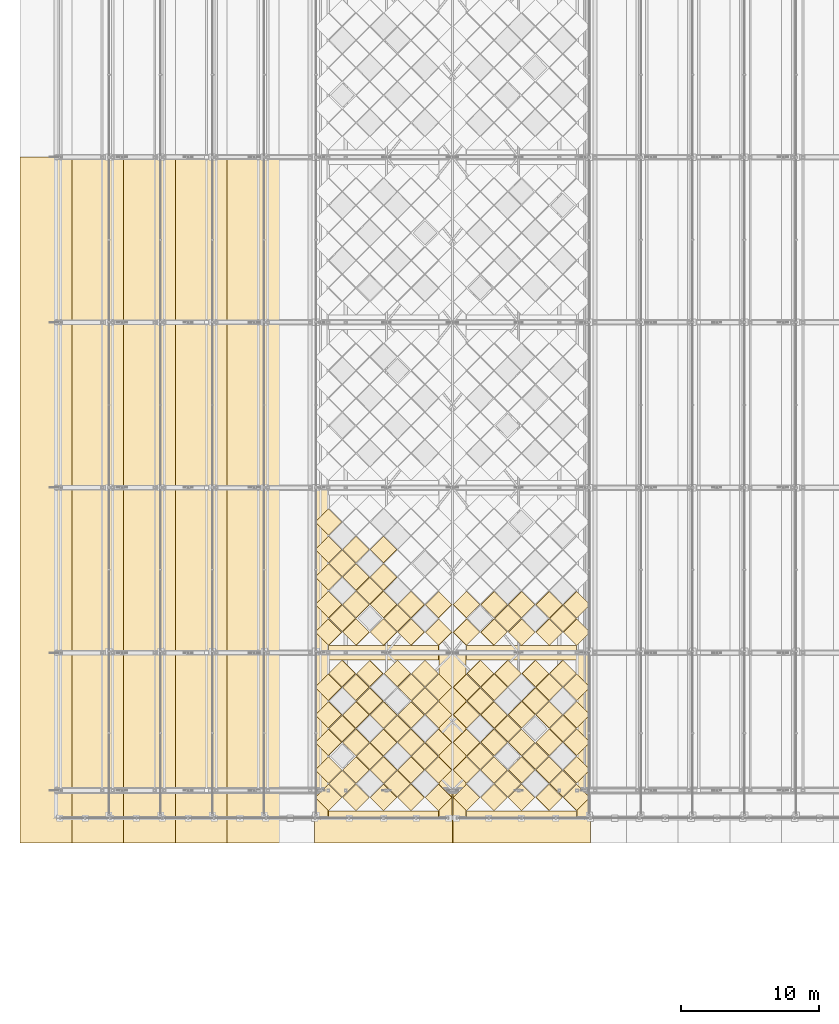
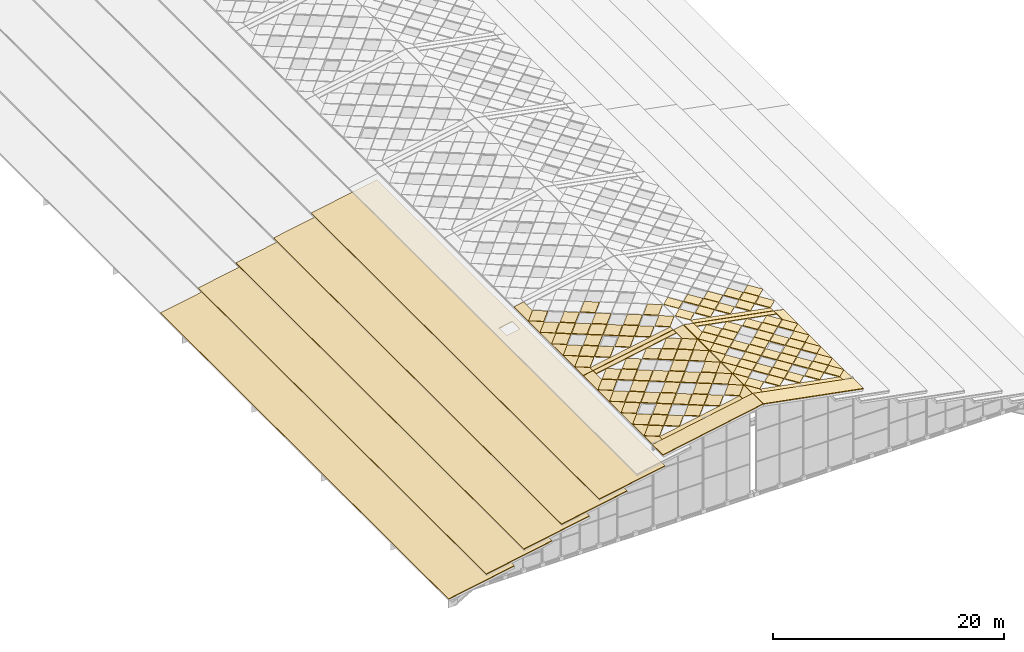
# One storey, part 112 of 117: 123 coverings.
"""IFC4 building model written with IfcOpenShell, lengths in metres."""

from ifc_helpers import new_model, si_unit, direction, frame, origin, place, context, subcontext, project, spatial, polyline, outline, extrude, material, layer, layer_set, type_object, element, save


model = new_model("IFC4")

# Units and contexts
model_context = context("Model", 3, precision=1e-05, world=origin(), true_north=direction((0.0, 1.0)))
body_context = subcontext(model_context, "Body", "Model", "MODEL_VIEW")
ifc_project = project(units=[si_unit("LENGTHUNIT", "METRE"), si_unit("AREAUNIT", "SQUARE_METRE"), si_unit("VOLUMEUNIT", "CUBIC_METRE"), si_unit("PLANEANGLEUNIT", "RADIAN"), si_unit("MASSUNIT", "GRAM", prefix="KILO")], contexts=[model_context])

# Site, building, storey
site_placement = place(None, origin())
site = spatial("IfcSite", under=ifc_project, at=site_placement, CompositionType="ELEMENT")
building_placement = place(site_placement, origin())
building = spatial("IfcBuilding", under=site, at=building_placement, Name="Merenkruunu Market Hall", CompositionType="ELEMENT")
storey_placement = place(building_placement, frame((0.0, 0.0, 22.800048828125)))
storey = spatial("IfcBuildingStorey", under=building, at=storey_placement, Name="RF", CompositionType="ELEMENT", Elevation=22.800048828125)

# Coverings
ifc_material_1 = material(Name="High-albedo white steel roof cladding", Category="steel")
ifc_layer_1 = layer(ifc_material_1, 0.080078125)
ifc_layer_set_1 = layer_set([ifc_layer_1], Name="High-albedo white steel roof cladding")
covering_type_1 = type_object("IfcCoveringType", Name="Insulated White Diamond Roof Panel RFG01", PredefinedType="ROOFING", material=ifc_layer_set_1)
for number, where, z_axis, x_axis, name in (
    (1, (26.8251953125, 17.10009765625, 1.5107421875), (-0.184711070472, 0.0, 0.982792867518), (0.700856370735, -0.70103461498, 0.131722496941), "COV-CROWN-PNL-001"),
    (2, (26.8251953125, 19.10009765625, 1.5107421875), (-0.184711070472, 0.0, 0.982792867518), (0.700856370735, -0.70103461498, 0.131722496941), "COV-CROWN-PNL-002"),
    (3, (26.8251953125, 21.10009765625, 1.5107421875), (-0.184711070472, 0.0, 0.982792867518), (0.700856370735, -0.70103461498, 0.131722496941), "COV-CROWN-PNL-003"),
    (4, (26.8251953125, 23.10009765625, 1.5107421875), (-0.184711070472, 0.0, 0.982792867518), (0.700856370735, -0.70103461498, 0.131722496941), "COV-CROWN-PNL-004"),
    (5, (26.8251953125, 25.10009765625, 1.5107421875), (-0.184711070472, 0.0, 0.982792867518), (0.700856370735, -0.70103461498, 0.131722496941), "COV-CROWN-PNL-005"),
    (6, (25.8251953125, 20.10009765625, 1.32275390625), (-0.184711070472, 0.0, 0.982792867518), (0.700856370735, -0.70103461498, 0.131722496941), "COV-CROWN-PNL-006"),
    (7, (25.8251953125, 24.10009765625, 1.32275390625), (-0.184711070472, 0.0, 0.982792867518), (0.700856370735, -0.70103461498, 0.131722496941), "COV-CROWN-PNL-007"),
    (8, (25.8251953125, 26.10009765625, 1.32275390625), (-0.184711070472, 0.0, 0.982792867518), (0.700856370735, -0.70103461498, 0.131722496941), "COV-CROWN-PNL-008"),
    (9, (24.8251953125, 17.10009765625, 1.134765625), (-0.184711070472, 0.0, 0.982792867518), (0.700856370735, -0.70103461498, 0.131722496941), "COV-CROWN-PNL-009"),
    (10, (24.8251953125, 19.10009765625, 1.134765625), (-0.184711070472, 0.0, 0.982792867518), (0.700856370735, -0.70103461498, 0.131722496941), "COV-CROWN-PNL-010"),
    (11, (24.8251953125, 21.10009765625, 1.134765625), (-0.184711070472, 0.0, 0.982792867518), (0.700856370735, -0.70103461498, 0.131722496941), "COV-CROWN-PNL-011"),
    (12, (24.8251953125, 23.10009765625, 1.134765625), (-0.184711070472, 0.0, 0.982792867518), (0.700856370735, -0.70103461498, 0.131722496941), "COV-CROWN-PNL-012"),
    (13, (24.8251953125, 25.10009765625, 1.134765625), (-0.184711070472, 0.0, 0.982792867518), (0.700856370735, -0.70103461498, 0.131722496941), "COV-CROWN-PNL-013"),
):
    element("IfcCovering", number, at=place(storey_placement, frame(where, z_axis=z_axis, x_axis=x_axis)), inside=storey, type_object=covering_type_1, Name=name, PredefinedType="ROOFING", context=body_context, shape_type="SweptSolid", body=[
        extrude(outline(polyline([(0.0, 0.0), (1.369697098555844, -1.1796119636642288e-16), (1.393120202621735, 1.3694968053954037), (0.0235942550949389, 1.369322702063927), (0.0, 0.0)])), origin(), (0.0, 0.0, -1.0), 0.080078125),
    ])
for number, where, z_axis, x_axis, name in (
    (14, (23.8251953125, 18.10009765625, 0.946533203125), (-0.184831776078, 0.0, 0.982770173821), (0.700856096019, -0.701018147677, 0.131811567397), "COV-CROWN-PNL-014"),
    (15, (23.8251953125, 22.10009765625, 0.946533203125), (-0.184831776078, 0.0, 0.982770173821), (0.700856096019, -0.701018147677, 0.131811567397), "COV-CROWN-PNL-015"),
    (16, (23.8251953125, 26.10009765625, 0.946533203125), (-0.184831776078, 0.0, 0.982770173821), (0.700856096019, -0.701018147677, 0.131811567397), "COV-CROWN-PNL-016"),
    (17, (22.8251953125, 17.10009765625, 0.758544921875), (-0.184831776078, 0.0, 0.982770173821), (0.700856096019, -0.701018147677, 0.131811567397), "COV-CROWN-PNL-017"),
    (18, (22.8251953125, 19.10009765625, 0.758544921875), (-0.184831776078, 0.0, 0.982770173821), (0.700856096019, -0.701018147677, 0.131811567397), "COV-CROWN-PNL-018"),
    (19, (22.8251953125, 21.10009765625, 0.758544921875), (-0.184831776078, 0.0, 0.982770173821), (0.700856096019, -0.701018147677, 0.131811567397), "COV-CROWN-PNL-019"),
    (20, (22.8251953125, 23.10009765625, 0.758544921875), (-0.184831776078, 0.0, 0.982770173821), (0.700856096019, -0.701018147677, 0.131811567397), "COV-CROWN-PNL-020"),
    (21, (21.8251953125, 20.10009765625, 0.570556640625), (-0.184831776078, 0.0, 0.982770173821), (0.700856096019, -0.701018147677, 0.131811567397), "COV-CROWN-PNL-021"),
    (22, (21.8251953125, 24.10009765625, 0.570556640625), (-0.184831776078, 0.0, 0.982770173821), (0.700856096019, -0.701018147677, 0.131811567397), "COV-CROWN-PNL-022"),
    (23, (21.8251953125, 26.10009765625, 0.570556640625), (-0.184831776078, 0.0, 0.982770173821), (0.700856096019, -0.701018147677, 0.131811567397), "COV-CROWN-PNL-023"),
    (24, (20.8251953125, 17.10009765625, 0.382568359375), (-0.184831776078, 0.0, 0.982770173821), (0.700856096019, -0.701018147677, 0.131811567397), "COV-CROWN-PNL-024"),
    (25, (20.8251953125, 19.10009765625, 0.382568359375), (-0.184831776078, 0.0, 0.982770173821), (0.700856096019, -0.701018147677, 0.131811567397), "COV-CROWN-PNL-025"),
    (26, (20.8251953125, 21.10009765625, 0.382568359375), (-0.184831776078, 0.0, 0.982770173821), (0.700856096019, -0.701018147677, 0.131811567397), "COV-CROWN-PNL-026"),
    (27, (20.8251953125, 23.10009765625, 0.382568359375), (-0.184831776078, 0.0, 0.982770173821), (0.700856096019, -0.701018147677, 0.131811567397), "COV-CROWN-PNL-027"),
    (28, (20.8251953125, 25.10009765625, 0.382568359375), (-0.184831776078, 0.0, 0.982770173821), (0.700856096019, -0.701018147677, 0.131811567397), "COV-CROWN-PNL-028"),
    (29, (19.8251953125, 18.10009765625, 0.194580078125), (-0.184831776078, 0.0, 0.982770173821), (0.700856096019, -0.701018147677, 0.131811567397), "COV-CROWN-PNL-029"),
    (30, (19.8251953125, 22.10009765625, 0.194580078125), (-0.184831776078, 0.0, 0.982770173821), (0.700856096019, -0.701018147677, 0.131811567397), "COV-CROWN-PNL-030"),
    (31, (19.8251953125, 26.10009765625, 0.194580078125), (-0.184831776078, 0.0, 0.982770173821), (0.700856096019, -0.701018147677, 0.131811567397), "COV-CROWN-PNL-031"),
    (32, (18.8251953125, 17.10009765625, 0.006591796875), (-0.184831776078, 0.0, 0.982770173821), (0.700856096019, -0.701018147677, 0.131811567397), "COV-CROWN-PNL-032"),
    (33, (18.8251953125, 19.10009765625, 0.006591796875), (-0.184831776078, 0.0, 0.982770173821), (0.700856096019, -0.701018147677, 0.131811567397), "COV-CROWN-PNL-033"),
    (34, (18.8251953125, 21.10009765625, 0.006591796875), (-0.184831776078, 0.0, 0.982770173821), (0.700856096019, -0.701018147677, 0.131811567397), "COV-CROWN-PNL-034"),
    (35, (18.8251953125, 23.10009765625, 0.006591796875), (-0.184831776078, 0.0, 0.982770173821), (0.700856096019, -0.701018147677, 0.131811567397), "COV-CROWN-PNL-035"),
    (36, (18.8251953125, 25.10009765625, 0.006591796875), (-0.184831776078, 0.0, 0.982770173821), (0.700856096019, -0.701018147677, 0.131811567397), "COV-CROWN-PNL-036"),
):
    element("IfcCovering", number, at=place(storey_placement, frame(where, z_axis=z_axis, x_axis=x_axis)), inside=storey, type_object=covering_type_1, Name=name, PredefinedType="ROOFING", context=body_context, shape_type="SweptSolid", body=[
        extrude(outline(polyline([(0.0, 0.0), (1.3697292734952495, 5.551115123125783e-17), (1.3931839959170225, 1.3694962589931816), (0.023658049988929668, 1.3693537851152227), (0.0, 0.0)])), origin(), (0.0, 0.0, -1.0), 0.080078125),
    ])
for number, where, z_axis, x_axis, name in (
    (37, (28.85498046875, 17.10009765625, 1.87158203125), (0.184711070472, 0.0, 0.982792867518), (0.700856370735, -0.70103461498, -0.131722496941), "COV-CROWN-PNL-037"),
    (38, (28.85498046875, 19.10009765625, 1.87158203125), (0.184711070472, 0.0, 0.982792867518), (0.700856370735, -0.70103461498, -0.131722496941), "COV-CROWN-PNL-038"),
    (39, (28.85498046875, 21.10009765625, 1.87158203125), (0.184711070472, 0.0, 0.982792867518), (0.700856370735, -0.70103461498, -0.131722496941), "COV-CROWN-PNL-039"),
    (40, (28.85498046875, 23.10009765625, 1.87158203125), (0.184711070472, 0.0, 0.982792867518), (0.700856370735, -0.70103461498, -0.131722496941), "COV-CROWN-PNL-040"),
    (41, (28.85498046875, 25.10009765625, 1.87158203125), (0.184711070472, 0.0, 0.982792867518), (0.700856370735, -0.70103461498, -0.131722496941), "COV-CROWN-PNL-041"),
    (42, (29.85498046875, 20.10009765625, 1.68359375), (0.184711070472, 0.0, 0.982792867518), (0.700856370735, -0.70103461498, -0.131722496941), "COV-CROWN-PNL-042"),
    (43, (29.85498046875, 24.10009765625, 1.68359375), (0.184711070472, 0.0, 0.982792867518), (0.700856370735, -0.70103461498, -0.131722496941), "COV-CROWN-PNL-043"),
    (44, (29.85498046875, 26.10009765625, 1.68359375), (0.184711070472, 0.0, 0.982792867518), (0.700856370735, -0.70103461498, -0.131722496941), "COV-CROWN-PNL-044"),
    (45, (30.85498046875, 17.10009765625, 1.49560546875), (0.184711070472, 0.0, 0.982792867518), (0.700856370735, -0.70103461498, -0.131722496941), "COV-CROWN-PNL-045"),
    (46, (30.85498046875, 19.10009765625, 1.49560546875), (0.184711070472, 0.0, 0.982792867518), (0.700856370735, -0.70103461498, -0.131722496941), "COV-CROWN-PNL-046"),
    (47, (30.85498046875, 21.10009765625, 1.49560546875), (0.184711070472, 0.0, 0.982792867518), (0.700856370735, -0.70103461498, -0.131722496941), "COV-CROWN-PNL-047"),
    (48, (30.85498046875, 23.10009765625, 1.49560546875), (0.184711070472, 0.0, 0.982792867518), (0.700856370735, -0.70103461498, -0.131722496941), "COV-CROWN-PNL-048"),
    (49, (30.85498046875, 25.10009765625, 1.49560546875), (0.184711070472, 0.0, 0.982792867518), (0.700856370735, -0.70103461498, -0.131722496941), "COV-CROWN-PNL-049"),
):
    element("IfcCovering", number, at=place(storey_placement, frame(where, z_axis=z_axis, x_axis=x_axis)), inside=storey, type_object=covering_type_1, Name=name, PredefinedType="ROOFING", context=body_context, shape_type="SweptSolid", body=[
        extrude(outline(polyline([(0.0, 0.0), (1.369697098555844, -1.1796119636642288e-16), (1.393120202621735, 1.3694968053954037), (0.0235942550949389, 1.369322702063927), (0.0, 0.0)])), origin(), (0.0, 0.0, -1.0), 0.080078125),
    ])
for number, where, z_axis, x_axis, name in (
    (50, (31.85498046875, 18.10009765625, 1.3076171875), (0.184831776078, 0.0, 0.982770173821), (0.700840184643, -0.701034617669, -0.131808574909), "COV-CROWN-PNL-050"),
    (51, (31.85498046875, 22.10009765625, 1.3076171875), (0.184831776078, 0.0, 0.982770173821), (0.700840184643, -0.701034617669, -0.131808574909), "COV-CROWN-PNL-051"),
    (52, (31.85498046875, 26.10009765625, 1.3076171875), (0.184831776078, 0.0, 0.982770173821), (0.700840184643, -0.701034617669, -0.131808574909), "COV-CROWN-PNL-052"),
    (53, (32.85498046875, 17.10009765625, 1.11962890625), (0.184831776078, 0.0, 0.982770173821), (0.700840184643, -0.701034617669, -0.131808574909), "COV-CROWN-PNL-053"),
    (54, (32.85498046875, 19.10009765625, 1.11962890625), (0.184831776078, 0.0, 0.982770173821), (0.700840184643, -0.701034617669, -0.131808574909), "COV-CROWN-PNL-054"),
    (55, (32.85498046875, 21.10009765625, 1.11962890625), (0.184831776078, 0.0, 0.982770173821), (0.700840184643, -0.701034617669, -0.131808574909), "COV-CROWN-PNL-055"),
    (56, (32.85498046875, 23.10009765625, 1.11962890625), (0.184831776078, 0.0, 0.982770173821), (0.700840184643, -0.701034617669, -0.131808574909), "COV-CROWN-PNL-056"),
    (57, (33.85498046875, 20.10009765625, 0.931640625), (0.184831776078, 0.0, 0.982770173821), (0.700840184643, -0.701034617669, -0.131808574909), "COV-CROWN-PNL-057"),
    (58, (33.85498046875, 24.10009765625, 0.931640625), (0.184831776078, 0.0, 0.982770173821), (0.700840184643, -0.701034617669, -0.131808574909), "COV-CROWN-PNL-058"),
    (59, (33.85498046875, 26.10009765625, 0.931640625), (0.184831776078, 0.0, 0.982770173821), (0.700840184643, -0.701034617669, -0.131808574909), "COV-CROWN-PNL-059"),
    (60, (34.85498046875, 17.10009765625, 0.74365234375), (0.184831776078, 0.0, 0.982770173821), (0.700840184643, -0.701034617669, -0.131808574909), "COV-CROWN-PNL-060"),
    (61, (34.85498046875, 19.10009765625, 0.74365234375), (0.184831776078, 0.0, 0.982770173821), (0.700840184643, -0.701034617669, -0.131808574909), "COV-CROWN-PNL-061"),
    (62, (34.85498046875, 21.10009765625, 0.74365234375), (0.184831776078, 0.0, 0.982770173821), (0.700840184643, -0.701034617669, -0.131808574909), "COV-CROWN-PNL-062"),
    (63, (34.85498046875, 23.10009765625, 0.74365234375), (0.184831776078, 0.0, 0.982770173821), (0.700840184643, -0.701034617669, -0.131808574909), "COV-CROWN-PNL-063"),
    (64, (34.85498046875, 25.10009765625, 0.74365234375), (0.184831776078, 0.0, 0.982770173821), (0.700840184643, -0.701034617669, -0.131808574909), "COV-CROWN-PNL-064"),
    (65, (35.85498046875, 18.10009765625, 0.5556640625), (0.184831776078, 0.0, 0.982770173821), (0.700840184643, -0.701034617669, -0.131808574909), "COV-CROWN-PNL-065"),
    (66, (35.85498046875, 22.10009765625, 0.5556640625), (0.184831776078, 0.0, 0.982770173821), (0.700840184643, -0.701034617669, -0.131808574909), "COV-CROWN-PNL-066"),
    (67, (35.85498046875, 26.10009765625, 0.5556640625), (0.184831776078, 0.0, 0.982770173821), (0.700840184643, -0.701034617669, -0.131808574909), "COV-CROWN-PNL-067"),
    (68, (36.85498046875, 17.10009765625, 0.36767578125), (0.184831776078, 0.0, 0.982770173821), (0.700840184643, -0.701034617669, -0.131808574909), "COV-CROWN-PNL-068"),
    (69, (36.85498046875, 19.10009765625, 0.36767578125), (0.184831776078, 0.0, 0.982770173821), (0.700840184643, -0.701034617669, -0.131808574909), "COV-CROWN-PNL-069"),
    (70, (36.85498046875, 21.10009765625, 0.36767578125), (0.184831776078, 0.0, 0.982770173821), (0.700840184643, -0.701034617669, -0.131808574909), "COV-CROWN-PNL-070"),
    (71, (36.85498046875, 23.10009765625, 0.36767578125), (0.184831776078, 0.0, 0.982770173821), (0.700840184643, -0.701034617669, -0.131808574909), "COV-CROWN-PNL-071"),
    (72, (36.85498046875, 25.10009765625, 0.36767578125), (0.184831776078, 0.0, 0.982770173821), (0.700840184643, -0.701034617669, -0.131808574909), "COV-CROWN-PNL-072"),
):
    element("IfcCovering", number, at=place(storey_placement, frame(where, z_axis=z_axis, x_axis=x_axis)), inside=storey, type_object=covering_type_1, Name=name, PredefinedType="ROOFING", context=body_context, shape_type="SweptSolid", body=[
        extrude(outline(polyline([(0.0, 0.0), (1.3696970933020924, 3.8163916471489756e-17), (1.3931523667781838, 1.3695284344678598), (0.023594244677936634, 1.3693226969882304), (0.0, 0.0)])), origin(), (0.0, 0.0, -1.0), 0.080078125),
    ])
for number, where, z_axis, x_axis, name in (
    (73, (26.8251953125, 29.10009765625, 1.5107421875), (-0.184711070472, 0.0, 0.982792867518), (0.700856370735, -0.70103461498, 0.131722496941), "COV-CROWN-PNL-073"),
    (74, (26.8251953125, 31.10009765625, 1.5107421875), (-0.184711070472, 0.0, 0.982792867518), (0.700856370735, -0.70103461498, 0.131722496941), "COV-CROWN-PNL-074"),
    (75, (24.8251953125, 29.10009765625, 1.134765625), (-0.184711070472, 0.0, 0.982792867518), (0.700856370735, -0.70103461498, 0.131722496941), "COV-CROWN-PNL-081"),
    (76, (24.8251953125, 31.10009765625, 1.134765625), (-0.184711070472, 0.0, 0.982792867518), (0.700856370735, -0.70103461498, 0.131722496941), "COV-CROWN-PNL-082"),
):
    element("IfcCovering", number, at=place(storey_placement, frame(where, z_axis=z_axis, x_axis=x_axis)), inside=storey, type_object=covering_type_1, Name=name, PredefinedType="ROOFING", context=body_context, shape_type="SweptSolid", body=[
        extrude(outline(polyline([(0.0, 0.0), (1.369697098555844, -1.1796119636642288e-16), (1.393120202621735, 1.3694968053954037), (0.0235942550949389, 1.369322702063927), (0.0, 0.0)])), origin(), (0.0, 0.0, -1.0), 0.080078125),
    ])
for number, where, z_axis, x_axis, name in (
    (77, (23.8251953125, 30.10009765625, 0.946533203125), (-0.184831776078, 0.0, 0.982770173821), (0.700856096019, -0.701018147677, 0.131811567397), "COV-CROWN-PNL-086"),
    (78, (22.8251953125, 29.10009765625, 0.758544921875), (-0.184831776078, 0.0, 0.982770173821), (0.700856096019, -0.701018147677, 0.131811567397), "COV-CROWN-PNL-089"),
    (79, (22.8251953125, 31.10009765625, 0.758544921875), (-0.184831776078, 0.0, 0.982770173821), (0.700856096019, -0.701018147677, 0.131811567397), "COV-CROWN-PNL-090"),
    (80, (22.8251953125, 33.10009765625, 0.758544921875), (-0.184831776078, 0.0, 0.982770173821), (0.700856096019, -0.701018147677, 0.131811567397), "COV-CROWN-PNL-091"),
    (81, (22.8251953125, 35.10009765625, 0.758544921875), (-0.184831776078, 0.0, 0.982770173821), (0.700856096019, -0.701018147677, 0.131811567397), "COV-CROWN-PNL-092"),
    (82, (21.8251953125, 32.10009765625, 0.570556640625), (-0.184831776078, 0.0, 0.982770173821), (0.700856096019, -0.701018147677, 0.131811567397), "COV-CROWN-PNL-093"),
    (83, (20.8251953125, 29.10009765625, 0.382568359375), (-0.184831776078, 0.0, 0.982770173821), (0.700856096019, -0.701018147677, 0.131811567397), "COV-CROWN-PNL-096"),
    (84, (20.8251953125, 31.10009765625, 0.382568359375), (-0.184831776078, 0.0, 0.982770173821), (0.700856096019, -0.701018147677, 0.131811567397), "COV-CROWN-PNL-097"),
    (85, (20.8251953125, 33.10009765625, 0.382568359375), (-0.184831776078, 0.0, 0.982770173821), (0.700856096019, -0.701018147677, 0.131811567397), "COV-CROWN-PNL-098"),
    (86, (20.8251953125, 35.10009765625, 0.382568359375), (-0.184831776078, 0.0, 0.982770173821), (0.700856096019, -0.701018147677, 0.131811567397), "COV-CROWN-PNL-099"),
    (87, (19.8251953125, 30.10009765625, 0.194580078125), (-0.184831776078, 0.0, 0.982770173821), (0.700856096019, -0.701018147677, 0.131811567397), "COV-CROWN-PNL-101"),
    (88, (19.8251953125, 34.10009765625, 0.194580078125), (-0.184831776078, 0.0, 0.982770173821), (0.700856096019, -0.701018147677, 0.131811567397), "COV-CROWN-PNL-102"),
    (89, (18.8251953125, 29.10009765625, 0.006591796875), (-0.184831776078, 0.0, 0.982770173821), (0.700856096019, -0.701018147677, 0.131811567397), "COV-CROWN-PNL-104"),
    (90, (18.8251953125, 31.10009765625, 0.006591796875), (-0.184831776078, 0.0, 0.982770173821), (0.700856096019, -0.701018147677, 0.131811567397), "COV-CROWN-PNL-105"),
    (91, (18.8251953125, 33.10009765625, 0.006591796875), (-0.184831776078, 0.0, 0.982770173821), (0.700856096019, -0.701018147677, 0.131811567397), "COV-CROWN-PNL-106"),
    (92, (18.8251953125, 35.10009765625, 0.006591796875), (-0.184831776078, 0.0, 0.982770173821), (0.700856096019, -0.701018147677, 0.131811567397), "COV-CROWN-PNL-107"),
    (93, (18.8251953125, 37.10009765625, 0.006591796875), (-0.184831776078, 0.0, 0.982770173821), (0.700856096019, -0.701018147677, 0.131811567397), "COV-CROWN-PNL-108"),
):
    element("IfcCovering", number, at=place(storey_placement, frame(where, z_axis=z_axis, x_axis=x_axis)), inside=storey, type_object=covering_type_1, Name=name, PredefinedType="ROOFING", context=body_context, shape_type="SweptSolid", body=[
        extrude(outline(polyline([(0.0, 0.0), (1.3697292734952495, 5.551115123125783e-17), (1.3931839959170225, 1.3694962589931816), (0.023658049988929668, 1.3693537851152227), (0.0, 0.0)])), origin(), (0.0, 0.0, -1.0), 0.080078125),
    ])
for number, where, z_axis, x_axis, name in (
    (94, (28.85498046875, 29.10009765625, 1.87158203125), (0.184711070472, 0.0, 0.982792867518), (0.700856370735, -0.70103461498, -0.131722496941), "COV-CROWN-PNL-109"),
    (95, (28.85498046875, 31.10009765625, 1.87158203125), (0.184711070472, 0.0, 0.982792867518), (0.700856370735, -0.70103461498, -0.131722496941), "COV-CROWN-PNL-110"),
    (96, (30.85498046875, 29.10009765625, 1.49560546875), (0.184711070472, 0.0, 0.982792867518), (0.700856370735, -0.70103461498, -0.131722496941), "COV-CROWN-PNL-117"),
    (97, (30.85498046875, 31.10009765625, 1.49560546875), (0.184711070472, 0.0, 0.982792867518), (0.700856370735, -0.70103461498, -0.131722496941), "COV-CROWN-PNL-118"),
):
    element("IfcCovering", number, at=place(storey_placement, frame(where, z_axis=z_axis, x_axis=x_axis)), inside=storey, type_object=covering_type_1, Name=name, PredefinedType="ROOFING", context=body_context, shape_type="SweptSolid", body=[
        extrude(outline(polyline([(0.0, 0.0), (1.369697098555844, -1.1796119636642288e-16), (1.393120202621735, 1.3694968053954037), (0.0235942550949389, 1.369322702063927), (0.0, 0.0)])), origin(), (0.0, 0.0, -1.0), 0.080078125),
    ])
for number, where, z_axis, x_axis, name in (
    (98, (31.85498046875, 30.10009765625, 1.3076171875), (0.184831776078, 0.0, 0.982770173821), (0.700840184643, -0.701034617669, -0.131808574909), "COV-CROWN-PNL-122"),
    (99, (32.85498046875, 29.10009765625, 1.11962890625), (0.184831776078, 0.0, 0.982770173821), (0.700840184643, -0.701034617669, -0.131808574909), "COV-CROWN-PNL-125"),
    (100, (32.85498046875, 31.10009765625, 1.11962890625), (0.184831776078, 0.0, 0.982770173821), (0.700840184643, -0.701034617669, -0.131808574909), "COV-CROWN-PNL-126"),
    (101, (34.85498046875, 29.10009765625, 0.74365234375), (0.184831776078, 0.0, 0.982770173821), (0.700840184643, -0.701034617669, -0.131808574909), "COV-CROWN-PNL-132"),
    (102, (34.85498046875, 31.10009765625, 0.74365234375), (0.184831776078, 0.0, 0.982770173821), (0.700840184643, -0.701034617669, -0.131808574909), "COV-CROWN-PNL-133"),
    (103, (35.85498046875, 30.10009765625, 0.5556640625), (0.184831776078, 0.0, 0.982770173821), (0.700840184643, -0.701034617669, -0.131808574909), "COV-CROWN-PNL-137"),
    (104, (36.85498046875, 29.10009765625, 0.36767578125), (0.184831776078, 0.0, 0.982770173821), (0.700840184643, -0.701034617669, -0.131808574909), "COV-CROWN-PNL-140"),
    (105, (36.85498046875, 31.10009765625, 0.36767578125), (0.184831776078, 0.0, 0.982770173821), (0.700840184643, -0.701034617669, -0.131808574909), "COV-CROWN-PNL-141"),
):
    element("IfcCovering", number, at=place(storey_placement, frame(where, z_axis=z_axis, x_axis=x_axis)), inside=storey, type_object=covering_type_1, Name=name, PredefinedType="ROOFING", context=body_context, shape_type="SweptSolid", body=[
        extrude(outline(polyline([(0.0, 0.0), (1.3696970933020924, 3.8163916471489756e-17), (1.3931523667781838, 1.3695284344678598), (0.023594244677936634, 1.3693226969882304), (0.0, 0.0)])), origin(), (0.0, 0.0, -1.0), 0.080078125),
    ])
covering_1_placement = place(storey_placement, frame((-2.61474609375, 13.800048828125, -7.720703125), z_axis=(-0.182233397966, 0.0, 0.983255301875), x_axis=(0.983255301875, 0.0, 0.182233397966)))
element("IfcCovering", 106, at=covering_1_placement, inside=storey, type_object=covering_type_1, Name="COV-SLRF-027", PredefinedType="ROOFING", context=body_context, shape_type="SweptSolid", body=[
    extrude(outline(polyline([(0.0, 0.0), (6.671775459779865, 0.0), (6.671775459779865, 49.800048828125), (0.0, 49.800048828125), (0.0, 0.0)]), holes=[polyline([(4.841049288943523, 24.25), (6.163241390085635, 24.25), (6.163241390085635, 25.550048828125), (4.841049288943523, 25.550048828125), (4.841049288943523, 24.25)])]), origin(), (0.0, 0.0, -1.0), 0.080078125),
])
covering_2_placement = place(storey_placement, frame((1.145263671875, 13.800048828125, -6.400634765625), z_axis=(-0.182198019779, 0.0, 0.983261858097), x_axis=(0.983261858097, 0.0, 0.182198019779)))
element("IfcCovering", 107, at=covering_2_placement, inside=storey, type_object=covering_type_1, Name="COV-SLRF-031", PredefinedType="ROOFING", context=body_context, shape_type="SweptSolid", body=[
    extrude(outline(polyline([(0.0, 0.0), (6.671730973522802, 0.0), (6.671730973522802, 49.800048828125), (0.0, 49.800048828125), (0.0, 0.0)]), holes=[polyline([(4.84104929022978, 24.25), (6.163241389812071, 24.25), (6.163241389812071, 25.550048828125), (4.84104929022978, 25.550048828125), (4.84104929022978, 24.25)])]), origin(), (0.0, 0.0, -1.0), 0.080078125),
])
covering_3_placement = place(storey_placement, frame((4.9052734375, 13.800048828125, -5.080810546875), z_axis=(-0.182233397966, 0.0, 0.983255301875), x_axis=(0.983255301875, 0.0, 0.182233397966)))
element("IfcCovering", 108, at=covering_3_placement, inside=storey, type_object=covering_type_1, Name="COV-SLRF-035", PredefinedType="ROOFING", context=body_context, shape_type="SweptSolid", body=[
    extrude(outline(polyline([(0.0, 0.0), (6.671775459779865, 0.0), (6.671775459779865, 49.800048828125), (0.0, 49.800048828125), (0.0, 0.0)]), holes=[polyline([(4.841093779519199, 24.25), (6.16328588066131, 24.25), (6.16328588066131, 25.550048828125), (4.841093779519199, 25.550048828125), (4.841093779519199, 24.25)])]), origin(), (0.0, 0.0, -1.0), 0.080078125),
])
covering_4_placement = place(storey_placement, frame((8.665283203125, 13.800048828125, -3.7607421875), z_axis=(-0.182233397966, 0.0, 0.983255301875), x_axis=(0.983255301875, 0.0, 0.182233397966)))
element("IfcCovering", 109, at=covering_4_placement, inside=storey, type_object=covering_type_1, Name="COV-SLRF-039", PredefinedType="ROOFING", context=body_context, shape_type="SweptSolid", body=[
    extrude(outline(polyline([(0.0, 0.0), (6.671775459779865, 0.0), (6.671775459779865, 49.800048828125), (0.0, 49.800048828125), (0.0, 0.0)]), holes=[polyline([(4.841049288943523, 24.25), (6.16328588066131, 24.25), (6.16328588066131, 25.550048828125), (4.841049288943523, 25.550048828125), (4.841049288943523, 24.25)])]), origin(), (0.0, 0.0, -1.0), 0.080078125),
])
covering_5_placement = place(storey_placement, frame((12.42529296875, 13.800048828125, -2.440673828125), z_axis=(-0.182233397966, 0.0, 0.983255301875), x_axis=(0.983255301875, 0.0, 0.182233397966)))
element("IfcCovering", 110, at=covering_5_placement, inside=storey, type_object=covering_type_1, Name="COV-SLRF-043", PredefinedType="ROOFING", context=body_context, shape_type="SweptSolid", body=[
    extrude(outline(polyline([(0.0, 0.0), (6.671775459779865, 0.0), (6.671775459779865, 49.800048828125), (0.0, 49.800048828125), (0.0, 0.0)]), holes=[polyline([(4.841049288943523, 24.25), (6.163241390085635, 24.25), (6.163241390085635, 25.550048828125), (4.841049288943523, 25.550048828125), (4.841049288943523, 24.25)])]), origin(), (0.0, 0.0, -1.0), 0.080078125),
])
for number, where, z_axis, x_axis, name in (
    (111, (18.78515625, 13.800048828125, -0.000732421875), (-0.184752092456, 0.0, 0.982785156753), (0.982785156753, 0.0, 0.184752092456), "COV-SLRF-051"),
    (112, (28.81494140625, 13.800048828125, 1.879150390625), (0.184752092456, 0.0, 0.982785156753), (0.982785156753, 0.0, -0.184752092456), "COV-SLRF-052"),
):
    element("IfcCovering", number, at=place(storey_placement, frame(where, z_axis=z_axis, x_axis=x_axis)), inside=storey, type_object=covering_type_1, Name=name, PredefinedType="ROOFING", context=body_context, shape_type="SweptSolid", body=[
        extrude(outline(polyline([(0.0, 0.0), (10.175163850706923, 0.0), (10.175163850706923, 1.8000488281250004), (0.0, 1.8000488281250004), (0.0, 0.0)])), origin(), (0.0, 0.0, -1.0), 0.080078125),
    ])
ifc_material_2 = material(Name="High-albedo white roof membrane")
ifc_layer_2 = layer(ifc_material_2, 0.06005859375)
ifc_layer_set_2 = layer_set([ifc_layer_2], Name="High-albedo white roof membrane")
covering_type_2 = type_object("IfcCoveringType", Name="Warm Membrane Roof Covering RFG02", PredefinedType="ROOFING", material=ifc_layer_set_2)
covering_6_placement = place(storey_placement, frame((27.808837890625, 15.6201171875, 1.675048828125), z_axis=(-0.184952473321, 0.0, 0.982747466348), x_axis=(0.982747466348, 0.0, 0.184952473321)))
element("IfcCovering", 113, at=covering_6_placement, inside=storey, type_object=covering_type_2, Name="COV-CROWN-TRIM-001", PredefinedType="ROOFING", context=body_context, shape_type="SweptSolid", body=[
    extrude(outline(polyline([(0.0, 0.0), (0.9768134443202975, 0.0), (0.9768134443202975, 11.9599609375), (0.0, 11.9599609375), (0.0, 0.0)])), origin(), (0.0, 0.0, -1.0), 0.06005859375),
])
covering_7_placement = place(storey_placement, frame((18.808837890625, 15.6201171875, -0.016845703125), z_axis=(-0.184711070472, 0.0, 0.982792867518), x_axis=(0.982792867518, 0.0, 0.184711070472)))
element("IfcCovering", 114, at=covering_7_placement, inside=storey, type_object=covering_type_2, Name="COV-CROWN-TRIM-002", PredefinedType="ROOFING", context=body_context, shape_type="SweptSolid", body=[
    extrude(outline(polyline([(0.0, 0.0), (0.9767683193753063, 0.0), (0.9767683193753063, 11.9599609375), (0.0, 11.9599609375), (0.0, 0.0)])), origin(), (0.0, 0.0, -1.0), 0.06005859375),
])
for number, where, z_axis, x_axis, name in (
    (115, (19.788818359375, 15.6201171875, 0.16748046875), (-0.184752092456, 0.0, 0.982785156753), (0.982785156753, 0.0, 0.184752092456), "COV-CROWN-TRIM-003"),
    (116, (19.788818359375, 27.080078125, 0.16748046875), (-0.184752092456, 0.0, 0.982785156753), (0.982785156753, 0.0, 0.184752092456), "COV-CROWN-TRIM-004"),
):
    element("IfcCovering", number, at=place(storey_placement, frame(where, z_axis=z_axis, x_axis=x_axis)), inside=storey, type_object=covering_type_2, Name=name, PredefinedType="ROOFING", context=body_context, shape_type="SweptSolid", body=[
        extrude(outline(polyline([(0.0, 0.0), (8.140131080565538, 0.0), (8.140131080565538, 0.5000000000000001), (0.0, 0.5000000000000001), (0.0, 0.0)])), origin(), (0.0, 0.0, -1.0), 0.06005859375),
    ])
covering_8_placement = place(storey_placement, frame((28.831298828125, 15.6201171875, 1.855712890625), z_axis=(0.184952473321, 0.0, 0.982747466348), x_axis=(0.982747466348, 0.0, -0.184952473321)))
element("IfcCovering", 117, at=covering_8_placement, inside=storey, type_object=covering_type_2, Name="COV-CROWN-TRIM-005", PredefinedType="ROOFING", context=body_context, shape_type="SweptSolid", body=[
    extrude(outline(polyline([(0.0, 0.0), (0.9768134443202975, 0.0), (0.9768134443202975, 11.9599609375), (0.0, 11.9599609375), (0.0, 0.0)])), origin(), (0.0, 0.0, -1.0), 0.06005859375),
])
covering_9_placement = place(storey_placement, frame((37.831298828125, 15.6201171875, 0.16357421875), z_axis=(0.184711070472, 0.0, 0.982792867518), x_axis=(0.982792867518, 0.0, -0.184711070472)))
element("IfcCovering", 118, at=covering_9_placement, inside=storey, type_object=covering_type_2, Name="COV-CROWN-TRIM-006", PredefinedType="ROOFING", context=body_context, shape_type="SweptSolid", body=[
    extrude(outline(polyline([(0.0, 0.0), (0.9767683193753063, 0.0), (0.9767683193753063, 11.9599609375), (0.0, 11.9599609375), (0.0, 0.0)])), origin(), (0.0, 0.0, -1.0), 0.06005859375),
])
for number, where, z_axis, x_axis, name in (
    (119, (29.811279296875, 15.6201171875, 1.67138671875), (0.184752092456, 0.0, 0.982785156753), (0.982785156753, 0.0, -0.184752092456), "COV-CROWN-TRIM-007"),
    (120, (29.811279296875, 27.080078125, 1.67138671875), (0.184752092456, 0.0, 0.982785156753), (0.982785156753, 0.0, -0.184752092456), "COV-CROWN-TRIM-008"),
):
    element("IfcCovering", number, at=place(storey_placement, frame(where, z_axis=z_axis, x_axis=x_axis)), inside=storey, type_object=covering_type_2, Name=name, PredefinedType="ROOFING", context=body_context, shape_type="SweptSolid", body=[
        extrude(outline(polyline([(0.0, 0.0), (8.140131080565538, 0.0), (8.140131080565538, 0.5000000000000001), (0.0, 0.5000000000000001), (0.0, 0.0)])), origin(), (0.0, 0.0, -1.0), 0.06005859375),
    ])
covering_10_placement = place(storey_placement, frame((18.808837890625, 27.6201171875, -0.016845703125), z_axis=(-0.184711070472, 0.0, 0.982792867518), x_axis=(0.982792867518, 0.0, 0.184711070472)))
element("IfcCovering", 121, at=covering_10_placement, inside=storey, type_object=covering_type_2, Name="COV-CROWN-TRIM-010", PredefinedType="ROOFING", context=body_context, shape_type="SweptSolid", body=[
    extrude(outline(polyline([(0.0, 0.0), (0.9767683193753063, 0.0), (0.9767683193753063, 11.9599609375), (0.0, 11.9599609375), (0.0, 0.0)])), origin(), (0.0, 0.0, -1.0), 0.06005859375),
])
for number, where, z_axis, x_axis, name in (
    (122, (19.788818359375, 27.6201171875, 0.16748046875), (-0.184752092456, 0.0, 0.982785156753), (0.982785156753, 0.0, 0.184752092456), "COV-CROWN-TRIM-011"),
    (123, (29.811279296875, 27.6201171875, 1.67138671875), (0.184752092456, 0.0, 0.982785156753), (0.982785156753, 0.0, -0.184752092456), "COV-CROWN-TRIM-015"),
):
    element("IfcCovering", number, at=place(storey_placement, frame(where, z_axis=z_axis, x_axis=x_axis)), inside=storey, type_object=covering_type_2, Name=name, PredefinedType="ROOFING", context=body_context, shape_type="SweptSolid", body=[
        extrude(outline(polyline([(0.0, 0.0), (8.140131080565538, 0.0), (8.140131080565538, 0.5000000000000001), (0.0, 0.5000000000000001), (0.0, 0.0)])), origin(), (0.0, 0.0, -1.0), 0.06005859375),
    ])

save(model, "model.ifc")
